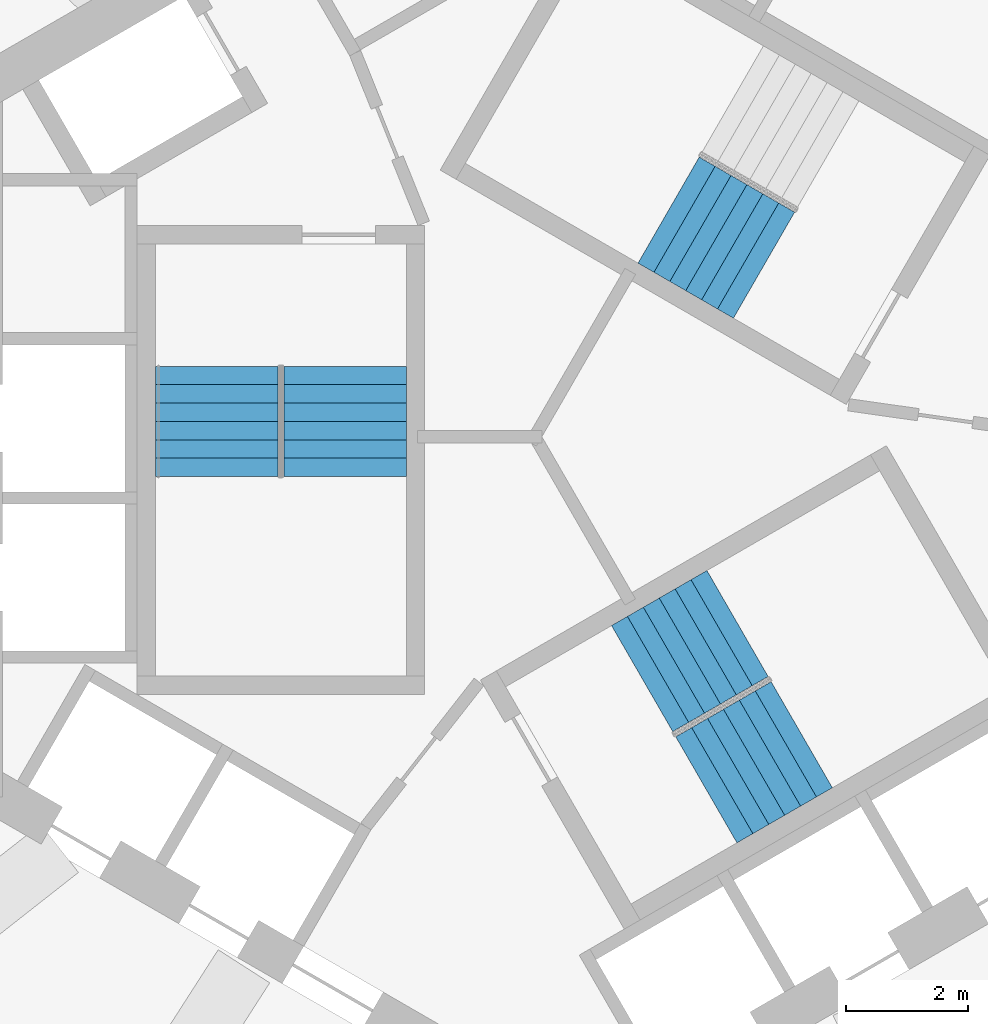
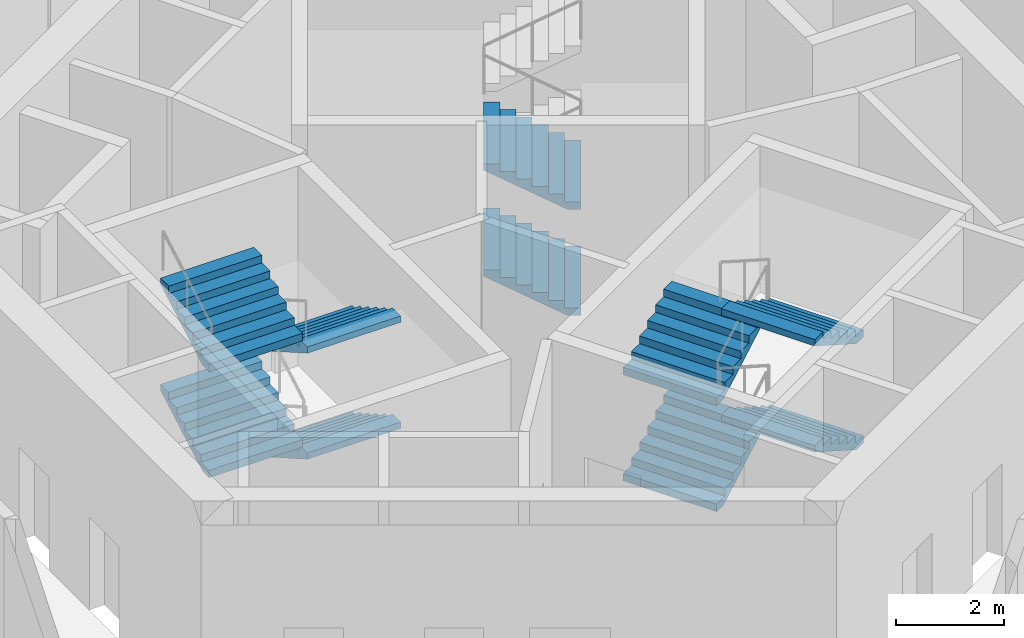
# One storey, part 9 of 14: 10 stair flights, 3 elements without a shape of their own.
"""IFC4 building model written with IfcOpenShell, lengths in metres."""

import ifcopenshell
import ifcopenshell.guid

model = None  # the IFC model being written
_history = None  # IfcOwnerHistory: only IFC2X3 demands one
_inside = {}  # id of a spatial element -> (the spatial element, [elements in it])
_under = {}  # id of a project, library or spatial element -> (it, [spatial elements below it])
_declared = {}  # id of a project -> (the project, [libraries it declares])
_typed = {}  # id of a type object -> (the type object, [elements of that type])
_made_of = {}  # id of a material, layer set ... -> (it, [elements and type objects made of it])


def new_model(schema):
    """Start an empty IFC model of exactly this schema.

    Asked for "IFC4X3", IfcOpenShell would pick the latest addendum, in which some entities
    have other attributes; the version numbers below select the first issue.
    IFC2X3 requires an IfcOwnerHistory on every rooted entity: one is made here for all.
    """
    global model, _history
    if schema == "IFC4X3":
        model = ifcopenshell.file(schema_version=(4, 3, 0, 0))
    else:
        model = ifcopenshell.file(schema=schema)
    _inside.clear()
    _under.clear()
    _declared.clear()
    _typed.clear()
    _made_of.clear()
    _history = None
    if model.schema == "IFC2X3":
        org = make("IfcOrganization", Name="unknown")
        user = make(
            "IfcPersonAndOrganization",
            ThePerson=make("IfcPerson", FamilyName="unknown"),
            TheOrganization=org,
        )
        app = make(
            "IfcApplication",
            ApplicationDeveloper=org,
            Version="unknown",
            ApplicationFullName="unknown",
            ApplicationIdentifier="unknown",
        )
        _history = make(
            "IfcOwnerHistory",
            OwningUser=user,
            OwningApplication=app,
            ChangeAction="ADDED",
            CreationDate=0,
        )
    return model


def make(cls, **values):
    """One entity of the class cls with the attributes given. An attribute that is None is left unset."""
    return model.create_entity(
        cls, **{name: value for name, value in values.items() if value is not None}
    )


def rooted(cls, **values):
    """An entity with a GlobalId (a new one), such as an element, a storey or a relation."""
    return make(cls, GlobalId=ifcopenshell.guid.new(), OwnerHistory=_history, **values)


def si_unit(unit_type, name, prefix=None):
    """IfcSIUnit, for example si_unit("LENGTHUNIT", "METRE", prefix="MILLI")."""
    return make("IfcSIUnit", UnitType=unit_type, Prefix=prefix, Name=name)


def assignment(units):
    """IfcUnitAssignment: the units of a project."""
    return None if units is None else make("IfcUnitAssignment", Units=units)


def point(xyz):
    """IfcCartesianPoint."""
    return None if xyz is None else make("IfcCartesianPoint", Coordinates=xyz)


def direction(xyz):
    """IfcDirection."""
    return None if xyz is None else make("IfcDirection", DirectionRatios=xyz)


def frame(location, z_axis=None, x_axis=None):
    """IfcAxis2Placement3D, a coordinate frame: its origin and axes. An axis left out is left unset."""
    return make(
        "IfcAxis2Placement3D",
        Location=point(location),
        Axis=direction(z_axis),
        RefDirection=direction(x_axis),
    )


def origin():
    """The frame at (0, 0, 0) with its axes left unset."""
    return frame((0.0, 0.0, 0.0))


def place(relative_to, where):
    """IfcLocalPlacement: puts the frame where relative to a parent placement (None: the world)."""
    return make(
        "IfcLocalPlacement", PlacementRelTo=relative_to, RelativePlacement=where
    )


def context(
    kind, dimensions, precision=None, world=None, true_north=None, identifier=None
):
    """IfcGeometricRepresentationContext, for example the 3D "Model" context."""
    return make(
        "IfcGeometricRepresentationContext",
        ContextIdentifier=identifier,
        ContextType=kind,
        CoordinateSpaceDimension=dimensions,
        Precision=precision,
        WorldCoordinateSystem=world,
        TrueNorth=true_north,
    )


def subcontext(parent, identifier, kind, view, scale=None):
    """IfcGeometricRepresentationSubContext, for example "Body" below "Model"."""
    return make(
        "IfcGeometricRepresentationSubContext",
        ContextIdentifier=identifier,
        ContextType=kind,
        ParentContext=parent,
        TargetScale=scale,
        TargetView=view,
    )


def project(units=None, contexts=None):
    """IfcProject with its units and contexts."""
    return rooted(
        "IfcProject",
        Name="project",
        RepresentationContexts=contexts,
        UnitsInContext=assignment(units),
    )


def spatial(cls, under=None, at=None, **own):
    """A site, building, storey or space (cls), placed at a placement, below another one or the project."""
    s = rooted(cls, ObjectPlacement=at, **own)
    if under is not None:
        _under.setdefault(under.id(), (under, []))[1].append(s)
    return s


def point_list(points):
    """IfcCartesianPointList2D or 3D."""
    cls = (
        "IfcCartesianPointList2D" if len(points[0]) == 2 else "IfcCartesianPointList3D"
    )
    return make(cls, CoordList=points)


def triangles(points, corners, closed=None, point_numbers=None):
    """IfcTriangulatedFaceSet: each triangle names its three corners, points numbered from 1."""
    return make(
        "IfcTriangulatedFaceSet",
        Coordinates=point_list(points),
        Closed=closed,
        CoordIndex=corners,
        PnIndex=point_numbers,
    )


def shape(context_of_items, identifier, shape_type, items):
    """IfcShapeRepresentation: the items that make up one representation, for example the "Body"."""
    return make(
        "IfcShapeRepresentation",
        ContextOfItems=context_of_items,
        RepresentationIdentifier=identifier,
        RepresentationType=shape_type,
        Items=items,
    )


def source(mapping_origin, context_of_items, identifier, shape_type, items):
    """IfcRepresentationMap: a shape defined once, which mapped items show again and again."""
    return make(
        "IfcRepresentationMap",
        MappingOrigin=mapping_origin,
        MappedRepresentation=shape(context_of_items, identifier, shape_type, items),
    )


def transform(
    local_origin,
    x_axis=None,
    y_axis=None,
    z_axis=None,
    scale=None,
    scale2=None,
    scale3=None,
    uniform=True,
):
    """IfcCartesianTransformationOperator3D, or its non-uniform kind. x_axis, y_axis, z_axis: its Axis1, 2, 3."""
    if uniform:
        return make(
            "IfcCartesianTransformationOperator3D",
            Axis1=direction(x_axis),
            Axis2=direction(y_axis),
            LocalOrigin=point(local_origin),
            Scale=scale,
            Axis3=direction(z_axis),
        )
    return make(
        "IfcCartesianTransformationOperator3DnonUniform",
        Axis1=direction(x_axis),
        Axis2=direction(y_axis),
        LocalOrigin=point(local_origin),
        Scale=scale,
        Axis3=direction(z_axis),
        Scale2=scale2,
        Scale3=scale3,
    )


def mapped(mapping_source, mapping_target):
    """IfcMappedItem: shows the shape of a source again, moved by a transform."""
    return make(
        "IfcMappedItem", MappingSource=mapping_source, MappingTarget=mapping_target
    )


def material(Name=None, Category=None):
    """IfcMaterial."""
    return make("IfcMaterial", Name=Name, Category=Category)


def made_of(thing, what):
    """Note that an element or type object is made of a material, layer set ...; save() writes the relation."""
    if what is not None:
        _made_of.setdefault(what.id(), (what, []))[1].append(thing)
    return thing


def type_object(cls, material=None, **own):
    """A type object (cls), such as IfcWallType, which elements share."""
    return made_of(rooted(cls, **own), material)


def element(
    cls,
    number,
    at=None,
    inside=None,
    cuts=None,
    type_object=None,
    material=None,
    context=None,
    identifier="Body",
    shape_type=None,
    held_by="IfcProductDefinitionShape",
    body=None,
    shapes=None,
    **own,
):
    """One element of the class cls, such as IfcWall. Its Tag is "e" and its number.

    at: its placement. inside: the storey or other place that contains it. cuts: it is an
    opening in that element (IfcRelVoidsElement). A single representation is given by context,
    identifier, shape_type and body (its items); several are given by shapes. held_by: the class
    of the entity that holds the representations. save() writes the other relations.
    """
    e = rooted(cls, Tag="e%d" % number, ObjectPlacement=at, **own)
    if body is not None:
        shapes = [shape(context, identifier, shape_type, body)]
    if shapes is not None:
        e.Representation = make(held_by, Representations=shapes)
    if inside is not None:
        _inside.setdefault(inside.id(), (inside, []))[1].append(e)
    if cuts is not None:
        rooted(
            "IfcRelVoidsElement", RelatingBuildingElement=cuts, RelatedOpeningElement=e
        )
    if type_object is not None:
        _typed.setdefault(type_object.id(), (type_object, []))[1].append(e)
    return made_of(e, material)


def aggregate(whole, parts):
    """IfcRelAggregates: a whole, such as a stair, and the parts it consists of."""
    return rooted("IfcRelAggregates", RelatingObject=whole, RelatedObjects=parts)


def save(model, path):
    """Write the relations noted so far, then the file.

    IfcRelAggregates (storeys below a building ...), IfcRelContainedInSpatialStructure (elements
    in a storey), IfcRelDefinesByType, IfcRelAssociatesMaterial and IfcRelDeclares: one each for
    every whole, place, type object, material and project.
    """
    for whole, parts in _under.values():
        aggregate(whole, parts)
    for where, things in _inside.values():
        rooted(
            "IfcRelContainedInSpatialStructure",
            RelatedElements=things,
            RelatingStructure=where,
        )
    for kind, things in _typed.values():
        rooted("IfcRelDefinesByType", RelatedObjects=things, RelatingType=kind)
    for what, things in _made_of.values():
        rooted("IfcRelAssociatesMaterial", RelatedObjects=things, RelatingMaterial=what)
    for by, libraries in _declared.values():
        rooted("IfcRelDeclares", RelatingContext=by, RelatedDefinitions=libraries)
    model.write(path)


model = new_model("IFC4")

# Units and contexts
model_context = context("Model", 3, precision=1e-05, world=origin(), true_north=direction((0.0, 1.0)))
body_context = subcontext(model_context, "Body", "Model", "MODEL_VIEW")
ifc_project = project(units=[si_unit("LENGTHUNIT", "METRE"), si_unit("AREAUNIT", "SQUARE_METRE"), si_unit("VOLUMEUNIT", "CUBIC_METRE"), si_unit("PLANEANGLEUNIT", "RADIAN"), si_unit("MASSUNIT", "GRAM", prefix="KILO")], contexts=[model_context])

# Site, building, storey
site_placement = place(None, origin())
site = spatial("IfcSite", under=ifc_project, at=site_placement, CompositionType="ELEMENT")
building_placement = place(site_placement, origin())
building = spatial("IfcBuilding", under=site, at=building_placement, Name="Vanh Sen Convention Tower", CompositionType="ELEMENT")
storey_placement = place(building_placement, frame((0.0, 0.0, 255.0)))
storey = spatial("IfcBuildingStorey", under=building, at=storey_placement, Name="L63", CompositionType="ELEMENT", Elevation=255.0)

# Stair, stair flights
ifc_material_1 = material(Name="Concrete C50/60", Category="concrete")
stair_type_1 = type_object("IfcStairType", Name="Exit stair ST1 28 risers at 171.4", PredefinedType="HALF_TURN_STAIR", material=ifc_material_1)
stair_1_placement = place(storey_placement, origin())
stair_1 = element("IfcStair", 1, at=stair_1_placement, inside=storey, type_object=stair_type_1, Name="Exit stair ST1 L63", PredefinedType="HALF_TURN_STAIR")
ifc_material_2 = material(Name="Concrete C40/50", Category="concrete")
stair_flight_type = type_object("IfcStairFlightType", Name="Stair flight 2000", PredefinedType="STRAIGHT", material=ifc_material_2)
shared_shape = source(origin(), body_context, "Body", "Tessellation", [
    triangles([(0.251953125, 1.0, 0.0), (0.0, 1.0, 0.0), (0.0, 1.0, 0.17138671875), (0.300048828125, 1.0, 0.17138671875), (0.300048828125, 1.0, 0.3427734375), (0.60009765625, 1.0, 0.3427734375), (0.60009765625, 1.0, 0.514404296875), (0.89990234375, 1.0, 0.514404296875), (0.89990234375, 1.0, 0.685791015625), (1.199951171875, 1.0, 0.685791015625), (1.199951171875, 1.0, 0.857177734375), (1.5, 1.0, 0.857177734375), (1.5, 1.0, 1.028564453125), (1.800048828125, 1.0, 1.028564453125), (1.800048828125, 1.0, 0.884521484375), (0.251953125, -1.0, 0.0), (0.0, -1.0, 0.0), (0.0, -1.0, 0.17138671875), (0.300048828125, -1.0, 0.17138671875), (0.300048828125, -1.0, 0.3427734375), (0.60009765625, -1.0, 0.3427734375), (0.60009765625, -1.0, 0.514404296875), (0.89990234375, -1.0, 0.514404296875), (0.89990234375, -1.0, 0.685791015625), (1.199951171875, -1.0, 0.685791015625), (1.199951171875, -1.0, 0.857177734375), (1.5, -1.0, 0.857177734375), (1.5, -1.0, 1.028564453125), (1.800048828125, -1.0, 1.028564453125), (1.800048828125, -1.0, 0.884521484375), (0.0, 0.0400390625, 0.0), (0.0, 0.0390625, 0.0), (0.0, 0.0380859375, 0.0), (0.0, 0.037109375, 0.0), (0.0, 0.035888671875, 0.0), (0.0, 0.034912109375, 0.0), (0.0, 0.033935546875, 0.0), (0.0, 0.032958984375, 0.0), (0.0, 0.031982421875, 0.0), (0.0, 0.031005859375, 0.0), (0.0, 0.030029296875, 0.0), (0.0, 0.029052734375, 0.0), (0.0, 0.028076171875, 0.0), (0.0, 0.027099609375, 0.0), (0.0, 0.02587890625, 0.0), (0.0, 0.02490234375, 0.0), (0.0, 0.02392578125, 0.0), (0.0, 0.02294921875, 0.0), (0.0, 0.02197265625, 0.0), (0.0, 0.02099609375, 0.0), (0.0, 0.02001953125, 0.0), (0.0, 0.01904296875, 0.0), (0.0, 0.01806640625, 0.0), (0.0, 0.01708984375, 0.0), (0.0, 0.01611328125, 0.0), (0.0, 0.014892578125, 0.0), (0.0, 0.013916015625, 0.0), (0.0, 0.012939453125, 0.0), (0.0, 0.011962890625, 0.0), (0.0, 0.010986328125, 0.0), (0.0, 0.010009765625, 0.0), (0.0, 0.009033203125, 0.0), (0.0, 0.008056640625, 0.0), (0.0, 0.007080078125, 0.0), (0.0, 0.006103515625, 0.0), (0.0, 0.0048828125, 0.0), (0.0, 0.00390625, 0.0), (0.0, 0.0029296875, 0.0), (0.0, 0.001953125, 0.0), (0.0, 0.0009765625, 0.0), (0.0, 0.0, 0.0), (0.0, -0.0009765625, 0.0), (0.0, -0.001953125, 0.0), (0.0, -0.0029296875, 0.0), (0.0, -0.00390625, 0.0), (0.0, -0.0048828125, 0.0), (0.0, -0.006103515625, 0.0), (0.0, -0.007080078125, 0.0), (0.0, -0.008056640625, 0.0), (0.0, -0.009033203125, 0.0), (0.0, -0.010009765625, 0.0), (0.0, -0.010986328125, 0.0), (0.0, -0.011962890625, 0.0), (0.0, -0.012939453125, 0.0), (0.0, -0.013916015625, 0.0), (0.0, -0.014892578125, 0.0), (0.0, -0.01611328125, 0.0), (0.0, -0.01708984375, 0.0), (0.0, -0.01806640625, 0.0), (0.0, -0.01904296875, 0.0), (0.0, -0.02001953125, 0.0), (0.0, -0.02099609375, 0.0), (0.0, -0.02197265625, 0.0), (0.0, -0.02294921875, 0.0), (0.0, -0.02392578125, 0.0), (0.0, -0.02490234375, 0.0), (0.0, -0.02587890625, 0.0), (0.0, -0.027099609375, 0.0), (0.0, -0.028076171875, 0.0), (0.0, -0.029052734375, 0.0), (0.0, -0.030029296875, 0.0), (0.0, -0.031005859375, 0.0), (0.0, -0.031982421875, 0.0), (0.0, -0.032958984375, 0.0), (0.0, -0.033935546875, 0.0), (0.0, -0.034912109375, 0.0), (0.0, -0.035888671875, 0.0), (0.0, -0.037109375, 0.0), (0.0, -0.0380859375, 0.0), (0.0, -0.0390625, 0.0), (0.0, -0.0400390625, 0.0), (0.0, 0.0400390625, 0.17138671875), (0.0, 0.0390625, 0.17138671875), (0.0, 0.0380859375, 0.17138671875), (0.0, 0.037109375, 0.17138671875), (0.0, 0.035888671875, 0.17138671875), (0.0, 0.034912109375, 0.17138671875), (0.0, 0.033935546875, 0.17138671875), (0.0, 0.032958984375, 0.17138671875), (0.0, 0.031982421875, 0.17138671875), (0.0, 0.031005859375, 0.17138671875), (0.0, 0.030029296875, 0.17138671875), (0.0, 0.029052734375, 0.17138671875), (0.0, 0.028076171875, 0.17138671875), (0.0, 0.027099609375, 0.17138671875), (0.0, 0.02587890625, 0.17138671875), (0.0, 0.02490234375, 0.17138671875), (0.0, 0.02392578125, 0.17138671875), (0.0, 0.02294921875, 0.17138671875), (0.0, 0.02197265625, 0.17138671875), (0.0, 0.02099609375, 0.17138671875), (0.0, 0.02001953125, 0.17138671875), (0.0, 0.01904296875, 0.17138671875), (0.0, 0.01806640625, 0.17138671875), (0.0, 0.01708984375, 0.17138671875), (0.0, 0.01611328125, 0.17138671875), (0.0, 0.014892578125, 0.17138671875), (0.0, 0.013916015625, 0.17138671875), (0.0, 0.012939453125, 0.17138671875), (0.0, 0.011962890625, 0.17138671875), (0.0, 0.010986328125, 0.17138671875), (0.0, 0.010009765625, 0.17138671875), (0.0, 0.009033203125, 0.17138671875), (0.0, 0.008056640625, 0.17138671875), (0.0, 0.007080078125, 0.17138671875), (0.0, 0.006103515625, 0.17138671875), (0.0, 0.0048828125, 0.17138671875), (0.0, 0.00390625, 0.17138671875), (0.0, 0.0029296875, 0.17138671875), (0.0, 0.001953125, 0.17138671875), (0.0, 0.0009765625, 0.17138671875), (0.0, 0.0, 0.17138671875), (0.0, -0.0009765625, 0.17138671875), (0.0, -0.001953125, 0.17138671875), (0.0, -0.0029296875, 0.17138671875), (0.0, -0.00390625, 0.17138671875), (0.0, -0.0048828125, 0.17138671875), (0.0, -0.006103515625, 0.17138671875), (0.0, -0.007080078125, 0.17138671875), (0.0, -0.008056640625, 0.17138671875), (0.0, -0.009033203125, 0.17138671875), (0.0, -0.010009765625, 0.17138671875), (0.0, -0.010986328125, 0.17138671875), (0.0, -0.011962890625, 0.17138671875), (0.0, -0.012939453125, 0.17138671875), (0.0, -0.013916015625, 0.17138671875), (0.0, -0.014892578125, 0.17138671875), (0.0, -0.01611328125, 0.17138671875), (0.0, -0.01708984375, 0.17138671875), (0.0, -0.01806640625, 0.17138671875), (0.0, -0.01904296875, 0.17138671875), (0.0, -0.02001953125, 0.17138671875), (0.0, -0.02099609375, 0.17138671875), (0.0, -0.02197265625, 0.17138671875), (0.0, -0.02294921875, 0.17138671875), (0.0, -0.02392578125, 0.17138671875), (0.0, -0.02490234375, 0.17138671875), (0.0, -0.02587890625, 0.17138671875), (0.0, -0.027099609375, 0.17138671875), (0.0, -0.028076171875, 0.17138671875), (0.0, -0.029052734375, 0.17138671875), (0.0, -0.030029296875, 0.17138671875), (0.0, -0.031005859375, 0.17138671875), (0.0, -0.031982421875, 0.17138671875), (0.0, -0.032958984375, 0.17138671875), (0.0, -0.033935546875, 0.17138671875), (0.0, -0.034912109375, 0.17138671875), (0.0, -0.035888671875, 0.17138671875), (0.0, -0.037109375, 0.17138671875), (0.0, -0.0380859375, 0.17138671875), (0.0, -0.0390625, 0.17138671875), (0.0, -0.0400390625, 0.17138671875), (0.300048828125, 0.0, 0.17138671875), (0.300048828125, 0.0, 0.3427734375), (0.60009765625, 0.0, 0.3427734375), (0.60009765625, 0.0, 0.514404296875), (0.89990234375, 0.0, 0.514404296875), (0.89990234375, 0.0, 0.685791015625), (1.199951171875, 0.0, 0.685791015625), (1.199951171875, 0.0, 0.857177734375), (1.5, 0.0, 0.857177734375), (1.5, 0.0, 1.028564453125), (1.800048828125, 0.0400390625, 1.028564453125), (1.800048828125, 0.0390625, 1.028564453125), (1.800048828125, 0.0380859375, 1.028564453125), (1.800048828125, 0.037109375, 1.028564453125), (1.800048828125, 0.035888671875, 1.028564453125), (1.800048828125, 0.034912109375, 1.028564453125), (1.800048828125, 0.033935546875, 1.028564453125), (1.800048828125, 0.032958984375, 1.028564453125), (1.800048828125, 0.031982421875, 1.028564453125), (1.800048828125, 0.031005859375, 1.028564453125), (1.800048828125, 0.030029296875, 1.028564453125), (1.800048828125, 0.029052734375, 1.028564453125), (1.800048828125, 0.028076171875, 1.028564453125), (1.800048828125, 0.027099609375, 1.028564453125), (1.800048828125, 0.02587890625, 1.028564453125), (1.800048828125, 0.02490234375, 1.028564453125), (1.800048828125, 0.02392578125, 1.028564453125), (1.800048828125, 0.02294921875, 1.028564453125), (1.800048828125, 0.02197265625, 1.028564453125), (1.800048828125, 0.02099609375, 1.028564453125), (1.800048828125, 0.02001953125, 1.028564453125), (1.800048828125, 0.01904296875, 1.028564453125), (1.800048828125, 0.01806640625, 1.028564453125), (1.800048828125, 0.01708984375, 1.028564453125), (1.800048828125, 0.01611328125, 1.028564453125), (1.800048828125, 0.014892578125, 1.028564453125), (1.800048828125, 0.013916015625, 1.028564453125), (1.800048828125, 0.012939453125, 1.028564453125), (1.800048828125, 0.011962890625, 1.028564453125), (1.800048828125, 0.010986328125, 1.028564453125), (1.800048828125, 0.010009765625, 1.028564453125), (1.800048828125, 0.009033203125, 1.028564453125), (1.800048828125, 0.008056640625, 1.028564453125), (1.800048828125, 0.007080078125, 1.028564453125), (1.800048828125, 0.006103515625, 1.028564453125), (1.800048828125, 0.0048828125, 1.028564453125), (1.800048828125, 0.00390625, 1.028564453125), (1.800048828125, 0.0029296875, 1.028564453125), (1.800048828125, 0.001953125, 1.028564453125), (1.800048828125, 0.0009765625, 1.028564453125), (1.800048828125, 0.0, 1.028564453125), (1.800048828125, -0.0009765625, 1.028564453125), (1.800048828125, -0.001953125, 1.028564453125), (1.800048828125, -0.0029296875, 1.028564453125), (1.800048828125, -0.00390625, 1.028564453125), (1.800048828125, -0.0048828125, 1.028564453125), (1.800048828125, -0.006103515625, 1.028564453125), (1.800048828125, -0.007080078125, 1.028564453125), (1.800048828125, -0.008056640625, 1.028564453125), (1.800048828125, -0.009033203125, 1.028564453125), (1.800048828125, -0.010009765625, 1.028564453125), (1.800048828125, -0.010986328125, 1.028564453125), (1.800048828125, -0.011962890625, 1.028564453125), (1.800048828125, -0.012939453125, 1.028564453125), (1.800048828125, -0.013916015625, 1.028564453125), (1.800048828125, -0.014892578125, 1.028564453125), (1.800048828125, -0.01611328125, 1.028564453125), (1.800048828125, -0.01708984375, 1.028564453125), (1.800048828125, -0.01806640625, 1.028564453125), (1.800048828125, -0.01904296875, 1.028564453125), (1.800048828125, -0.02001953125, 1.028564453125), (1.800048828125, -0.02099609375, 1.028564453125), (1.800048828125, -0.02197265625, 1.028564453125), (1.800048828125, -0.02294921875, 1.028564453125), (1.800048828125, -0.02392578125, 1.028564453125), (1.800048828125, -0.02490234375, 1.028564453125), (1.800048828125, -0.02587890625, 1.028564453125), (1.800048828125, -0.027099609375, 1.028564453125), (1.800048828125, -0.028076171875, 1.028564453125), (1.800048828125, -0.029052734375, 1.028564453125), (1.800048828125, -0.030029296875, 1.028564453125), (1.800048828125, -0.031005859375, 1.028564453125), (1.800048828125, -0.031982421875, 1.028564453125), (1.800048828125, -0.032958984375, 1.028564453125), (1.800048828125, -0.033935546875, 1.028564453125), (1.800048828125, -0.034912109375, 1.028564453125), (1.800048828125, -0.035888671875, 1.028564453125), (1.800048828125, -0.037109375, 1.028564453125), (1.800048828125, -0.0380859375, 1.028564453125), (1.800048828125, -0.0390625, 1.028564453125), (1.800048828125, -0.0400390625, 1.028564453125), (1.800048828125, 0.0400390625, 0.884521484375), (1.800048828125, 0.0390625, 0.884521484375), (1.800048828125, 0.0380859375, 0.884521484375), (1.800048828125, 0.037109375, 0.884521484375), (1.800048828125, 0.035888671875, 0.884521484375), (1.800048828125, 0.034912109375, 0.884521484375), (1.800048828125, 0.033935546875, 0.884521484375), (1.800048828125, 0.032958984375, 0.884521484375), (1.800048828125, 0.031982421875, 0.884521484375), (1.800048828125, 0.031005859375, 0.884521484375), (1.800048828125, 0.030029296875, 0.884521484375), (1.800048828125, 0.029052734375, 0.884521484375), (1.800048828125, 0.028076171875, 0.884521484375), (1.800048828125, 0.027099609375, 0.884521484375), (1.800048828125, 0.02587890625, 0.884521484375), (1.800048828125, 0.02490234375, 0.884521484375), (1.800048828125, 0.02392578125, 0.884521484375), (1.800048828125, 0.02294921875, 0.884521484375), (1.800048828125, 0.02197265625, 0.884521484375), (1.800048828125, 0.02099609375, 0.884521484375), (1.800048828125, 0.02001953125, 0.884521484375), (1.800048828125, 0.01904296875, 0.884521484375), (1.800048828125, 0.01806640625, 0.884521484375), (1.800048828125, 0.01708984375, 0.884521484375), (1.800048828125, 0.01611328125, 0.884521484375), (1.800048828125, 0.014892578125, 0.884521484375), (1.800048828125, 0.013916015625, 0.884521484375), (1.800048828125, 0.012939453125, 0.884521484375), (1.800048828125, 0.011962890625, 0.884521484375), (1.800048828125, 0.010986328125, 0.884521484375), (1.800048828125, 0.010009765625, 0.884521484375), (1.800048828125, 0.009033203125, 0.884521484375), (1.800048828125, 0.008056640625, 0.884521484375), (1.800048828125, 0.007080078125, 0.884521484375), (1.800048828125, 0.006103515625, 0.884521484375), (1.800048828125, 0.0048828125, 0.884521484375), (1.800048828125, 0.00390625, 0.884521484375), (1.800048828125, 0.0029296875, 0.884521484375), (1.800048828125, 0.001953125, 0.884521484375), (1.800048828125, 0.0009765625, 0.884521484375), (1.800048828125, 0.0, 0.884521484375), (1.800048828125, -0.0009765625, 0.884521484375), (1.800048828125, -0.001953125, 0.884521484375), (1.800048828125, -0.0029296875, 0.884521484375), (1.800048828125, -0.00390625, 0.884521484375), (1.800048828125, -0.0048828125, 0.884521484375), (1.800048828125, -0.006103515625, 0.884521484375), (1.800048828125, -0.007080078125, 0.884521484375), (1.800048828125, -0.008056640625, 0.884521484375), (1.800048828125, -0.009033203125, 0.884521484375), (1.800048828125, -0.010009765625, 0.884521484375), (1.800048828125, -0.010986328125, 0.884521484375), (1.800048828125, -0.011962890625, 0.884521484375), (1.800048828125, -0.012939453125, 0.884521484375), (1.800048828125, -0.013916015625, 0.884521484375), (1.800048828125, -0.014892578125, 0.884521484375), (1.800048828125, -0.01611328125, 0.884521484375), (1.800048828125, -0.01708984375, 0.884521484375), (1.800048828125, -0.01806640625, 0.884521484375), (1.800048828125, -0.01904296875, 0.884521484375), (1.800048828125, -0.02001953125, 0.884521484375), (1.800048828125, -0.02099609375, 0.884521484375), (1.800048828125, -0.02197265625, 0.884521484375), (1.800048828125, -0.02294921875, 0.884521484375), (1.800048828125, -0.02392578125, 0.884521484375), (1.800048828125, -0.02490234375, 0.884521484375), (1.800048828125, -0.02587890625, 0.884521484375), (1.800048828125, -0.027099609375, 0.884521484375), (1.800048828125, -0.028076171875, 0.884521484375), (1.800048828125, -0.029052734375, 0.884521484375), (1.800048828125, -0.030029296875, 0.884521484375), (1.800048828125, -0.031005859375, 0.884521484375), (1.800048828125, -0.031982421875, 0.884521484375), (1.800048828125, -0.032958984375, 0.884521484375), (1.800048828125, -0.033935546875, 0.884521484375), (1.800048828125, -0.034912109375, 0.884521484375), (1.800048828125, -0.035888671875, 0.884521484375), (1.800048828125, -0.037109375, 0.884521484375), (1.800048828125, -0.0380859375, 0.884521484375), (1.800048828125, -0.0390625, 0.884521484375), (1.800048828125, -0.0400390625, 0.884521484375), (0.251953125, 0.0, 0.0)], [[1, 2, 3], [1, 3, 4], [4, 5, 6], [1, 4, 6], [6, 7, 8], [1, 6, 8], [8, 9, 10], [1, 8, 10], [10, 11, 12], [1, 10, 12], [12, 13, 14], [1, 12, 14], [14, 15, 1], [16, 18, 17], [16, 19, 18], [19, 21, 20], [16, 21, 19], [21, 23, 22], [16, 23, 21], [23, 25, 24], [16, 25, 23], [25, 27, 26], [16, 27, 25], [27, 29, 28], [16, 29, 27], [29, 16, 30], [2, 112, 3], [2, 31, 112], [31, 113, 112], [31, 32, 113], [32, 114, 113], [32, 33, 114], [33, 115, 114], [33, 34, 115], [34, 116, 115], [34, 35, 116], [35, 117, 116], [35, 36, 117], [36, 118, 117], [36, 37, 118], [37, 119, 118], [37, 38, 119], [38, 120, 119], [38, 39, 120], [39, 121, 120], [39, 40, 121], [40, 122, 121], [40, 41, 122], [41, 123, 122], [41, 42, 123], [42, 124, 123], [42, 43, 124], [43, 125, 124], [43, 44, 125], [44, 126, 125], [44, 45, 126], [45, 127, 126], [45, 46, 127], [46, 128, 127], [46, 47, 128], [47, 129, 128], [47, 48, 129], [48, 130, 129], [48, 49, 130], [49, 131, 130], [49, 50, 131], [50, 132, 131], [50, 51, 132], [51, 133, 132], [51, 52, 133], [52, 134, 133], [52, 53, 134], [53, 135, 134], [53, 54, 135], [54, 136, 135], [54, 55, 136], [55, 137, 136], [55, 56, 137], [56, 138, 137], [56, 57, 138], [57, 139, 138], [57, 58, 139], [58, 140, 139], [58, 59, 140], [59, 141, 140], [59, 60, 141], [60, 142, 141], [60, 61, 142], [61, 143, 142], [61, 62, 143], [62, 144, 143], [62, 63, 144], [63, 145, 144], [63, 64, 145], [64, 146, 145], [64, 65, 146], [65, 147, 146], [65, 66, 147], [66, 148, 147], [66, 67, 148], [67, 149, 148], [67, 68, 149], [68, 150, 149], [68, 69, 150], [69, 151, 150], [69, 70, 151], [70, 152, 151], [70, 71, 152], [71, 72, 152], [152, 72, 153], [72, 73, 153], [153, 73, 154], [73, 74, 154], [154, 74, 155], [74, 75, 155], [155, 75, 156], [75, 76, 156], [156, 76, 157], [76, 77, 157], [157, 77, 158], [77, 78, 158], [158, 78, 159], [78, 79, 159], [159, 79, 160], [79, 80, 160], [160, 80, 161], [80, 81, 161], [161, 81, 162], [81, 82, 162], [162, 82, 163], [82, 83, 163], [163, 83, 164], [83, 84, 164], [164, 84, 165], [84, 85, 165], [165, 85, 166], [85, 86, 166], [166, 86, 167], [86, 87, 167], [167, 87, 168], [87, 88, 168], [168, 88, 169], [88, 89, 169], [169, 89, 170], [89, 90, 170], [170, 90, 171], [90, 91, 171], [171, 91, 172], [91, 92, 172], [172, 92, 173], [92, 93, 173], [173, 93, 174], [93, 94, 174], [174, 94, 175], [94, 95, 175], [175, 95, 176], [95, 96, 176], [176, 96, 177], [96, 97, 177], [177, 97, 178], [97, 98, 178], [178, 98, 179], [98, 99, 179], [179, 99, 180], [99, 100, 180], [180, 100, 181], [100, 101, 181], [181, 101, 182], [101, 102, 182], [182, 102, 183], [102, 103, 183], [183, 103, 184], [103, 104, 184], [184, 104, 185], [104, 105, 185], [185, 105, 186], [105, 106, 186], [186, 106, 187], [106, 107, 187], [187, 107, 188], [107, 108, 188], [188, 108, 189], [108, 109, 189], [189, 109, 190], [109, 110, 190], [190, 110, 191], [110, 111, 191], [191, 111, 192], [111, 17, 192], [192, 17, 18], [4, 3, 112], [4, 112, 113], [4, 113, 114], [4, 114, 115], [4, 115, 116], [4, 116, 117], [4, 117, 118], [4, 118, 119], [4, 119, 120], [4, 120, 121], [4, 121, 122], [4, 122, 123], [4, 123, 124], [4, 124, 125], [4, 125, 126], [4, 126, 127], [4, 127, 128], [4, 128, 129], [4, 129, 130], [4, 130, 131], [4, 131, 132], [4, 132, 133], [4, 133, 134], [4, 134, 135], [4, 135, 136], [4, 136, 137], [4, 137, 138], [4, 138, 139], [4, 139, 140], [4, 140, 141], [4, 141, 142], [4, 142, 143], [4, 143, 144], [4, 144, 145], [4, 145, 146], [4, 146, 147], [4, 147, 148], [4, 148, 149], [4, 149, 150], [4, 150, 151], [4, 151, 152], [19, 152, 153], [19, 153, 154], [19, 154, 155], [19, 155, 156], [19, 156, 157], [19, 157, 158], [19, 158, 159], [19, 159, 160], [19, 160, 161], [19, 161, 162], [19, 162, 163], [19, 163, 164], [19, 164, 165], [19, 165, 166], [19, 166, 167], [19, 167, 168], [19, 168, 169], [19, 169, 170], [19, 170, 171], [19, 171, 172], [19, 172, 173], [19, 173, 174], [19, 174, 175], [19, 175, 176], [19, 176, 177], [19, 177, 178], [19, 178, 179], [19, 179, 180], [19, 180, 181], [19, 181, 182], [19, 182, 183], [19, 183, 184], [19, 184, 185], [19, 185, 186], [19, 186, 187], [19, 187, 188], [19, 188, 189], [19, 189, 190], [19, 190, 191], [19, 191, 192], [19, 192, 18], [4, 152, 193], [19, 193, 152], [4, 194, 5], [4, 193, 194], [193, 19, 194], [194, 19, 20], [5, 195, 6], [5, 194, 195], [194, 20, 195], [195, 20, 21], [6, 196, 7], [6, 195, 196], [195, 21, 196], [196, 21, 22], [7, 197, 8], [7, 196, 197], [196, 22, 197], [197, 22, 23], [8, 198, 9], [8, 197, 198], [197, 23, 198], [198, 23, 24], [9, 199, 10], [9, 198, 199], [198, 24, 199], [199, 24, 25], [10, 200, 11], [10, 199, 200], [199, 25, 200], [200, 25, 26], [11, 201, 12], [11, 200, 201], [200, 26, 201], [201, 26, 27], [12, 202, 13], [12, 201, 202], [201, 27, 202], [202, 27, 28], [13, 203, 14], [13, 204, 203], [13, 205, 204], [13, 206, 205], [13, 207, 206], [13, 208, 207], [13, 209, 208], [13, 210, 209], [13, 211, 210], [13, 212, 211], [13, 213, 212], [13, 214, 213], [13, 215, 214], [13, 216, 215], [13, 217, 216], [13, 218, 217], [13, 219, 218], [13, 220, 219], [13, 221, 220], [13, 222, 221], [13, 223, 222], [13, 224, 223], [13, 225, 224], [13, 226, 225], [13, 227, 226], [13, 228, 227], [13, 229, 228], [13, 230, 229], [13, 231, 230], [13, 232, 231], [13, 233, 232], [13, 234, 233], [13, 235, 234], [13, 236, 235], [13, 237, 236], [13, 238, 237], [13, 239, 238], [13, 240, 239], [13, 241, 240], [13, 242, 241], [13, 243, 242], [28, 244, 243], [28, 245, 244], [28, 246, 245], [28, 247, 246], [28, 248, 247], [28, 249, 248], [28, 250, 249], [28, 251, 250], [28, 252, 251], [28, 253, 252], [28, 254, 253], [28, 255, 254], [28, 256, 255], [28, 257, 256], [28, 258, 257], [28, 259, 258], [28, 260, 259], [28, 261, 260], [28, 262, 261], [28, 263, 262], [28, 264, 263], [28, 265, 264], [28, 266, 265], [28, 267, 266], [28, 268, 267], [28, 269, 268], [28, 270, 269], [28, 271, 270], [28, 272, 271], [28, 273, 272], [28, 274, 273], [28, 275, 274], [28, 276, 275], [28, 277, 276], [28, 278, 277], [28, 279, 278], [28, 280, 279], [28, 281, 280], [28, 282, 281], [28, 283, 282], [28, 29, 283], [13, 202, 243], [28, 243, 202], [14, 284, 15], [14, 203, 284], [203, 285, 284], [203, 204, 285], [204, 286, 285], [204, 205, 286], [205, 287, 286], [205, 206, 287], [206, 288, 287], [206, 207, 288], [207, 289, 288], [207, 208, 289], [208, 290, 289], [208, 209, 290], [209, 291, 290], [209, 210, 291], [210, 292, 291], [210, 211, 292], [211, 293, 292], [211, 212, 293], [212, 294, 293], [212, 213, 294], [213, 295, 294], [213, 214, 295], [214, 296, 295], [214, 215, 296], [215, 297, 296], [215, 216, 297], [216, 298, 297], [216, 217, 298], [217, 299, 298], [217, 218, 299], [218, 300, 299], [218, 219, 300], [219, 301, 300], [219, 220, 301], [220, 302, 301], [220, 221, 302], [221, 303, 302], [221, 222, 303], [222, 304, 303], [222, 223, 304], [223, 305, 304], [223, 224, 305], [224, 306, 305], [224, 225, 306], [225, 307, 306], [225, 226, 307], [226, 308, 307], [226, 227, 308], [227, 309, 308], [227, 228, 309], [228, 310, 309], [228, 229, 310], [229, 311, 310], [229, 230, 311], [230, 312, 311], [230, 231, 312], [231, 313, 312], [231, 232, 313], [232, 314, 313], [232, 233, 314], [233, 315, 314], [233, 234, 315], [234, 316, 315], [234, 235, 316], [235, 317, 316], [235, 236, 317], [236, 318, 317], [236, 237, 318], [237, 319, 318], [237, 238, 319], [238, 320, 319], [238, 239, 320], [239, 321, 320], [239, 240, 321], [240, 322, 321], [240, 241, 322], [241, 323, 322], [241, 242, 323], [242, 324, 323], [242, 243, 324], [243, 244, 324], [324, 244, 325], [244, 245, 325], [325, 245, 326], [245, 246, 326], [326, 246, 327], [246, 247, 327], [327, 247, 328], [247, 248, 328], [328, 248, 329], [248, 249, 329], [329, 249, 330], [249, 250, 330], [330, 250, 331], [250, 251, 331], [331, 251, 332], [251, 252, 332], [332, 252, 333], [252, 253, 333], [333, 253, 334], [253, 254, 334], [334, 254, 335], [254, 255, 335], [335, 255, 336], [255, 256, 336], [336, 256, 337], [256, 257, 337], [337, 257, 338], [257, 258, 338], [338, 258, 339], [258, 259, 339], [339, 259, 340], [259, 260, 340], [340, 260, 341], [260, 261, 341], [341, 261, 342], [261, 262, 342], [342, 262, 343], [262, 263, 343], [343, 263, 344], [263, 264, 344], [344, 264, 345], [264, 265, 345], [345, 265, 346], [265, 266, 346], [346, 266, 347], [266, 267, 347], [347, 267, 348], [267, 268, 348], [348, 268, 349], [268, 269, 349], [349, 269, 350], [269, 270, 350], [350, 270, 351], [270, 271, 351], [351, 271, 352], [271, 272, 352], [352, 272, 353], [272, 273, 353], [353, 273, 354], [273, 274, 354], [354, 274, 355], [274, 275, 355], [355, 275, 356], [275, 276, 356], [356, 276, 357], [276, 277, 357], [357, 277, 358], [277, 278, 358], [358, 278, 359], [278, 279, 359], [359, 279, 360], [279, 280, 360], [360, 280, 361], [280, 281, 361], [361, 281, 362], [281, 282, 362], [362, 282, 363], [282, 283, 363], [363, 283, 364], [283, 29, 364], [364, 29, 30], [1, 15, 284], [1, 284, 285], [1, 285, 286], [1, 286, 287], [1, 287, 288], [1, 288, 289], [1, 289, 290], [1, 290, 291], [1, 291, 292], [1, 292, 293], [1, 293, 294], [1, 294, 295], [1, 295, 296], [1, 296, 297], [1, 297, 298], [1, 298, 299], [1, 299, 300], [1, 300, 301], [1, 301, 302], [1, 302, 303], [1, 303, 304], [1, 304, 305], [1, 305, 306], [1, 306, 307], [1, 307, 308], [1, 308, 309], [1, 309, 310], [1, 310, 311], [1, 311, 312], [1, 312, 313], [1, 313, 314], [1, 314, 315], [1, 315, 316], [1, 316, 317], [1, 317, 318], [1, 318, 319], [1, 319, 320], [1, 320, 321], [1, 321, 322], [1, 322, 323], [1, 323, 324], [16, 324, 325], [16, 325, 326], [16, 326, 327], [16, 327, 328], [16, 328, 329], [16, 329, 330], [16, 330, 331], [16, 331, 332], [16, 332, 333], [16, 333, 334], [16, 334, 335], [16, 335, 336], [16, 336, 337], [16, 337, 338], [16, 338, 339], [16, 339, 340], [16, 340, 341], [16, 341, 342], [16, 342, 343], [16, 343, 344], [16, 344, 345], [16, 345, 346], [16, 346, 347], [16, 347, 348], [16, 348, 349], [16, 349, 350], [16, 350, 351], [16, 351, 352], [16, 352, 353], [16, 353, 354], [16, 354, 355], [16, 355, 356], [16, 356, 357], [16, 357, 358], [16, 358, 359], [16, 359, 360], [16, 360, 361], [16, 361, 362], [16, 362, 363], [16, 363, 364], [16, 364, 30], [1, 324, 365], [16, 365, 324], [1, 31, 2], [1, 32, 31], [1, 33, 32], [1, 34, 33], [1, 35, 34], [1, 36, 35], [1, 37, 36], [1, 38, 37], [1, 39, 38], [1, 40, 39], [1, 41, 40], [1, 42, 41], [1, 43, 42], [1, 44, 43], [1, 45, 44], [1, 46, 45], [1, 47, 46], [1, 48, 47], [1, 49, 48], [1, 50, 49], [1, 51, 50], [1, 52, 51], [1, 53, 52], [1, 54, 53], [1, 55, 54], [1, 56, 55], [1, 57, 56], [1, 58, 57], [1, 59, 58], [1, 60, 59], [1, 61, 60], [1, 62, 61], [1, 63, 62], [1, 64, 63], [1, 65, 64], [1, 66, 65], [1, 67, 66], [1, 68, 67], [1, 69, 68], [1, 70, 69], [1, 71, 70], [16, 72, 71], [16, 73, 72], [16, 74, 73], [16, 75, 74], [16, 76, 75], [16, 77, 76], [16, 78, 77], [16, 79, 78], [16, 80, 79], [16, 81, 80], [16, 82, 81], [16, 83, 82], [16, 84, 83], [16, 85, 84], [16, 86, 85], [16, 87, 86], [16, 88, 87], [16, 89, 88], [16, 90, 89], [16, 91, 90], [16, 92, 91], [16, 93, 92], [16, 94, 93], [16, 95, 94], [16, 96, 95], [16, 97, 96], [16, 98, 97], [16, 99, 98], [16, 100, 99], [16, 101, 100], [16, 102, 101], [16, 103, 102], [16, 104, 103], [16, 105, 104], [16, 106, 105], [16, 107, 106], [16, 108, 107], [16, 109, 108], [16, 110, 109], [16, 111, 110], [16, 17, 111], [1, 365, 71], [16, 71, 365]], closed=True),
])
stair_flight_1_placement = place(storey_placement, frame((2.94580078125, 2.802490234375, 0.0), z_axis=(0.0, 0.0, 1.0), x_axis=(-0.866025403784, 0.5, 0.0)))
stair_flight_1 = element("IfcStairFlight", 2, at=stair_flight_1_placement, type_object=stair_flight_type, Name="ST1 flight 1", NumberOfRisers=7, NumberOfTreads=6, PredefinedType="STRAIGHT", RiserHeight=0.171428571, TreadLength=0.3, context=body_context, shape_type="MappedRepresentation", body=[
    mapped(shared_shape, transform((0.0, 0.0, 0.0))),
])
stair_flight_2_placement = place(storey_placement, frame((2.94580078125, 2.802490234375, 2.39990234375), z_axis=(0.0, 0.0, 1.0), x_axis=(-0.866025403784, 0.5, 0.0)))
stair_flight_2 = element("IfcStairFlight", 3, at=stair_flight_2_placement, type_object=stair_flight_type, Name="ST1 flight 3", NumberOfRisers=7, NumberOfTreads=6, PredefinedType="STRAIGHT", RiserHeight=0.171428571, TreadLength=0.3, context=body_context, shape_type="MappedRepresentation", body=[
    mapped(shared_shape, transform((0.0, 0.0, 0.0))),
])
aggregate(stair_1, [stair_flight_1, stair_flight_2])

stair_type_2 = type_object("IfcStairType", Name="Exit stair ST2 28 risers at 171.4", PredefinedType="HALF_TURN_STAIR", material=ifc_material_1)
stair_2_placement = place(storey_placement, origin())
stair_2 = element("IfcStair", 4, at=stair_2_placement, inside=storey, type_object=stair_type_2, Name="Exit stair ST2 L63", PredefinedType="HALF_TURN_STAIR")
stair_flight_3_placement = place(storey_placement, frame((-3.89990234375, 1.14990234375, 0.0), z_axis=(0.0, 0.0, 1.0), x_axis=(0.0, -1.0, 0.0)))
stair_flight_3 = element("IfcStairFlight", 5, at=stair_flight_3_placement, type_object=stair_flight_type, Name="ST2 flight 1", NumberOfRisers=7, NumberOfTreads=6, PredefinedType="STRAIGHT", RiserHeight=0.171428571, TreadLength=0.3, context=body_context, shape_type="MappedRepresentation", body=[
    mapped(shared_shape, transform((0.0, 0.0, 0.0))),
])
stair_flight_4_placement = place(storey_placement, frame((-6.0, -0.64990234375, 1.199951171875), z_axis=(0.0, 0.0, 1.0), x_axis=(0.0, 1.0, 0.0)))
stair_flight_4 = element("IfcStairFlight", 6, at=stair_flight_4_placement, type_object=stair_flight_type, Name="ST2 flight 2", NumberOfRisers=7, NumberOfTreads=6, PredefinedType="STRAIGHT", RiserHeight=0.171428571, TreadLength=0.3, context=body_context, shape_type="MappedRepresentation", body=[
    mapped(shared_shape, transform((0.0, 0.0, 0.0))),
])
stair_flight_5_placement = place(storey_placement, frame((-3.89990234375, 1.14990234375, 2.39990234375), z_axis=(0.0, 0.0, 1.0), x_axis=(0.0, -1.0, 0.0)))
stair_flight_5 = element("IfcStairFlight", 7, at=stair_flight_5_placement, type_object=stair_flight_type, Name="ST2 flight 3", NumberOfRisers=7, NumberOfTreads=6, PredefinedType="STRAIGHT", RiserHeight=0.171428571, TreadLength=0.3, context=body_context, shape_type="MappedRepresentation", body=[
    mapped(shared_shape, transform((0.0, 0.0, 0.0))),
])
stair_flight_6_placement = place(storey_placement, frame((-6.0, -0.64990234375, 3.60009765625), z_axis=(0.0, 0.0, 1.0), x_axis=(0.0, 1.0, 0.0)))
stair_flight_6 = element("IfcStairFlight", 8, at=stair_flight_6_placement, type_object=stair_flight_type, Name="ST2 flight 4", NumberOfRisers=7, NumberOfTreads=6, PredefinedType="STRAIGHT", RiserHeight=0.171428571, TreadLength=0.3, context=body_context, shape_type="MappedRepresentation", body=[
    mapped(shared_shape, transform((0.0, 0.0, 0.0))),
])
aggregate(stair_2, [stair_flight_3, stair_flight_4, stair_flight_5, stair_flight_6])

stair_type_3 = type_object("IfcStairType", Name="Exit stair ST3 28 risers at 171.4", PredefinedType="HALF_TURN_STAIR", material=ifc_material_1)
stair_3_placement = place(storey_placement, origin())
stair_3 = element("IfcStair", 9, at=stair_3_placement, inside=storey, type_object=stair_type_3, Name="Exit stair ST3 L63", PredefinedType="HALF_TURN_STAIR")
stair_flight_7_placement = place(storey_placement, frame((0.9541015625, -3.952392578125, 0.0), z_axis=(0.0, 0.0, 1.0), x_axis=(0.866025403784, 0.5, 0.0)))
stair_flight_7 = element("IfcStairFlight", 10, at=stair_flight_7_placement, type_object=stair_flight_type, Name="ST3 flight 1", NumberOfRisers=7, NumberOfTreads=6, PredefinedType="STRAIGHT", RiserHeight=0.171428571, TreadLength=0.3, context=body_context, shape_type="MappedRepresentation", body=[
    mapped(shared_shape, transform((0.0, 0.0, 0.0))),
])
stair_flight_8_placement = place(storey_placement, frame((3.56298828125, -4.87109375, 1.199951171875), z_axis=(0.0, 0.0, 1.0), x_axis=(-0.866025403784, -0.5, 0.0)))
stair_flight_8 = element("IfcStairFlight", 11, at=stair_flight_8_placement, type_object=stair_flight_type, Name="ST3 flight 2", NumberOfRisers=7, NumberOfTreads=6, PredefinedType="STRAIGHT", RiserHeight=0.171428571, TreadLength=0.3, context=body_context, shape_type="MappedRepresentation", body=[
    mapped(shared_shape, transform((0.0, 0.0, 0.0))),
])
stair_flight_9_placement = place(storey_placement, frame((0.9541015625, -3.952392578125, 2.39990234375), z_axis=(0.0, 0.0, 1.0), x_axis=(0.866025403784, 0.5, 0.0)))
stair_flight_9 = element("IfcStairFlight", 12, at=stair_flight_9_placement, type_object=stair_flight_type, Name="ST3 flight 3", NumberOfRisers=7, NumberOfTreads=6, PredefinedType="STRAIGHT", RiserHeight=0.171428571, TreadLength=0.3, context=body_context, shape_type="MappedRepresentation", body=[
    mapped(shared_shape, transform((0.0, 0.0, 0.0))),
])
stair_flight_10_placement = place(storey_placement, frame((3.56298828125, -4.87109375, 3.60009765625), z_axis=(0.0, 0.0, 1.0), x_axis=(-0.866025403784, -0.5, 0.0)))
stair_flight_10 = element("IfcStairFlight", 13, at=stair_flight_10_placement, type_object=stair_flight_type, Name="ST3 flight 4", NumberOfRisers=7, NumberOfTreads=6, PredefinedType="STRAIGHT", RiserHeight=0.171428571, TreadLength=0.3, context=body_context, shape_type="MappedRepresentation", body=[
    mapped(shared_shape, transform((0.0, 0.0, 0.0))),
])
aggregate(stair_3, [stair_flight_7, stair_flight_8, stair_flight_9, stair_flight_10])

save(model, "model.ifc")
